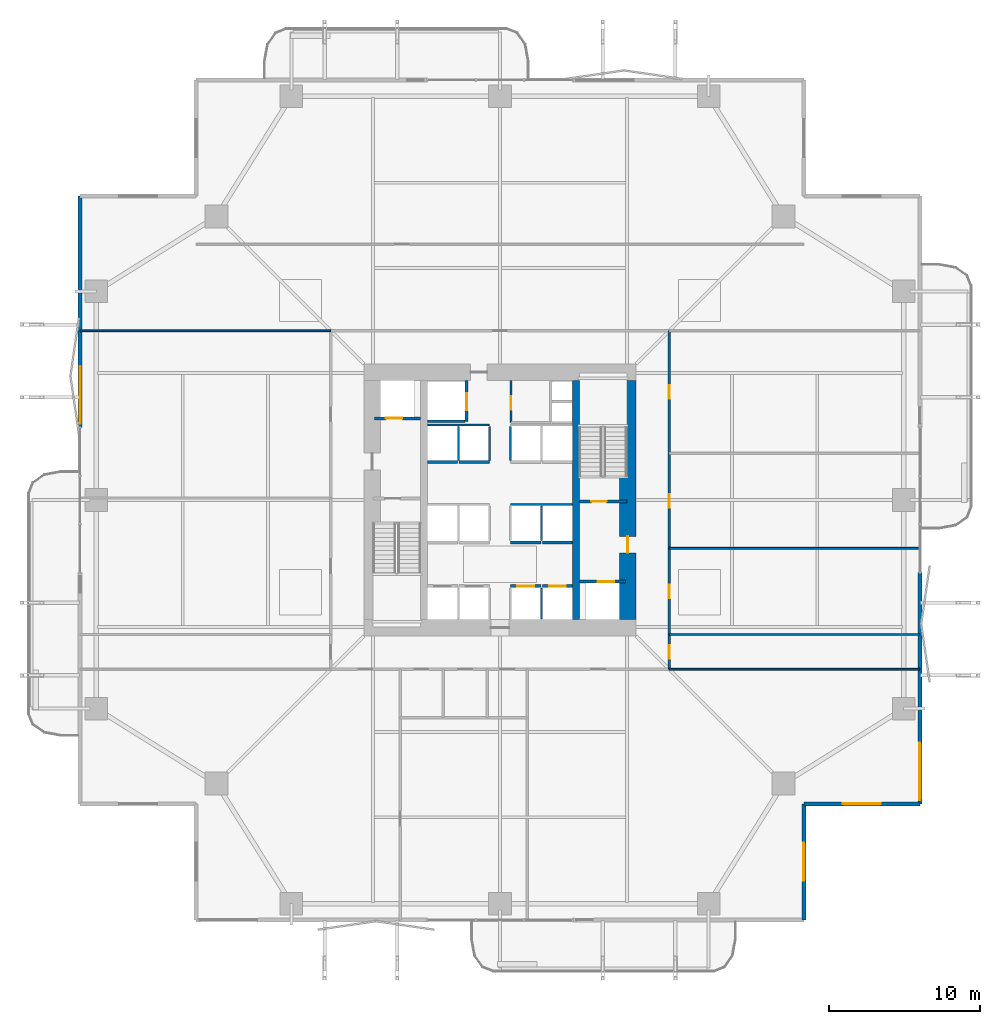
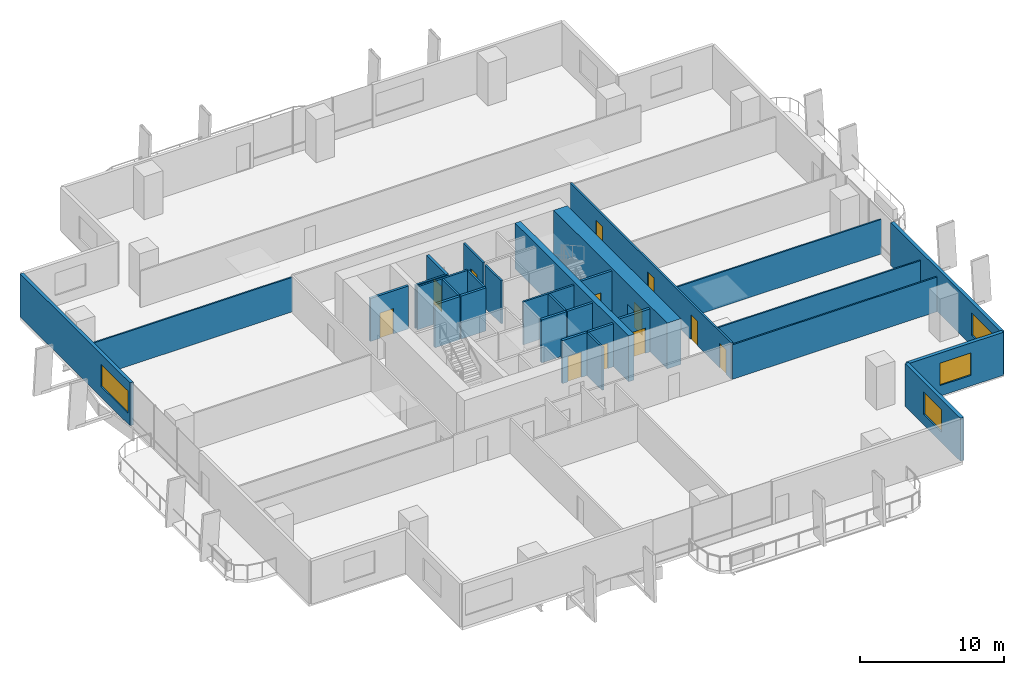
# One storey, part 18 of 24: 30 walls, 12 doors, 4 windows, 16 openings.
"""IFC4 building model written with IfcOpenShell, lengths in metres."""

from ifc_helpers import new_model, si_unit, direction, frame, frame_2d, origin, place, context, subcontext, project, spatial, rectangle, extrude, material, layer, layer_set, type_object, element, fill, save


model = new_model("IFC4")

# Units and contexts
model_context = context("Model", 3, precision=1e-05, world=origin(), true_north=direction((0.0, 1.0)))
body_context = subcontext(model_context, "Body", "Model", "MODEL_VIEW")
ifc_project = project(units=[si_unit("LENGTHUNIT", "METRE"), si_unit("AREAUNIT", "SQUARE_METRE"), si_unit("VOLUMEUNIT", "CUBIC_METRE"), si_unit("PLANEANGLEUNIT", "RADIAN"), si_unit("MASSUNIT", "GRAM", prefix="KILO")], contexts=[model_context])

# Site, building, storey
site_placement = place(None, origin())
site = spatial("IfcSite", under=ifc_project, at=site_placement, CompositionType="ELEMENT")
building_placement = place(site_placement, origin())
building = spatial("IfcBuilding", under=site, at=building_placement, Name="Belovzor Exchange Tower", CompositionType="ELEMENT")
storey_placement = place(building_placement, frame((0.0, 0.0, 37.800048828125)))
storey = spatial("IfcBuildingStorey", under=building, at=storey_placement, Name="L08", CompositionType="ELEMENT", Elevation=37.800048828125)

# Walls
ifc_material_1 = material(Name="Acoustic Plasterboard on Galvanised Studs", Category="gypsum")
ifc_layer_1 = layer(ifc_material_1, 0.1201171875)
ifc_layer_set_1 = layer_set([ifc_layer_1], Name="Acoustic Plasterboard on Galvanised Studs")
wall_type_1 = type_object("IfcWallType", Name="Acoustic Double-Stud Partition Wall 120", PredefinedType="PARTITIONING", material=ifc_layer_set_1)
for number, where, z_axis, x_axis, name in (
    (1, (40.0, 17.60009765625, 0.0), (0.0, 0.0, 1.0), (1.0, 0.0, 0.0), "W-P120 Partition Wall W-L08-END-SE"),
    (2, (1.030029296875, 40.0, 0.0), (0.0, 0.0, 1.0), (1.0, 0.0, 0.0), "W-P120 Partition Wall W-L08-END-NW"),
    (3, (40.0, 19.89990234375, 0.0), (0.0, 0.0, 1.0), (1.0, 0.0, 0.0), "W-P120 Partition Wall W-L08-EDIV-1"),
    (4, (40.0, 25.59912109375, 0.0), (0.0, 0.0, 1.0), (1.0, 0.0, 0.0), "W-P120 Partition Wall W-L08-EDIV-2"),
):
    element("IfcWall", number, at=place(storey_placement, frame(where, z_axis=z_axis, x_axis=x_axis)), inside=storey, type_object=wall_type_1, Name=name, PredefinedType="PARTITIONING", context=body_context, shape_type="SweptSolid", body=[
        extrude(rectangle(XDim=16.570068359375, YDim=0.1201171875, at=frame_2d((8.28515625, 0.0))), origin(), (0.0, 0.0, 1.0), 2.93505859375),
    ])

# Wall, opening, door
ifc_material_2 = material(Name="Fire-Rated Gypsum Block and Mineral Wool", Category="gypsum")
ifc_layer_2 = layer(ifc_material_2, 0.14990234375)
ifc_layer_set_2 = layer_set([ifc_layer_2], Name="Fire-Rated Gypsum Block and Mineral Wool")
wall_type_2 = type_object("IfcWallType", Name="Fire-Rated Gypsum Block Corridor Wall 150", PredefinedType="PARTITIONING", material=ifc_layer_set_2)
wall_1_placement = place(storey_placement, frame((29.52490234375, 33.925048828125, 0.0), z_axis=(0.0, 0.0, 1.0), x_axis=(0.0, 1.0, 0.0)))
wall_1 = element("IfcWall", 5, at=wall_1_placement, inside=storey, type_object=wall_type_2, Name="W-P150 Partition Wall W-CRV-L08-W", PredefinedType="PARTITIONING", context=body_context, shape_type="SweptSolid", body=[
    extrude(rectangle(XDim=2.77490234375, YDim=0.14990234375, at=frame_2d((1.387451171875, 0.0))), origin(), (0.0, 0.0, 1.0), 3.64990234375),
])
opening_1_placement = place(wall_1_placement, frame((0.85009765625, 0.0, 0.0)))
opening_1 = element("IfcOpeningElement", 6, at=opening_1_placement, cuts=wall_1, Name="Opening D-FD60-090", PredefinedType="OPENING", context=body_context, shape_type="SweptSolid", body=[
    extrude(rectangle(XDim=0.89990234375, YDim=2.10009765625, at=frame_2d((0.449951171875, 1.050048828125))), frame((0.0, 0.0849609375, 0.0), z_axis=(0.0, -1.0, 0.0), x_axis=(1.0, 0.0, 0.0)), (0.0, 0.0, 1.0), 0.169921875),
])
ifc_material_3 = material(Name="Acoustic Timber Fire Leaf", Category="wood")
door_type_1 = type_object("IfcDoorType", Name="Core Service & Restroom Fire Door 900x2100", OperationType="NOTDEFINED", PredefinedType="DOOR", material=ifc_material_3)
door_1_placement = place(opening_1_placement, origin())
door_1 = element("IfcDoor", 7, at=door_1_placement, inside=storey, type_object=door_type_1, Name="D-FD60-090 Core Service & Restroom Fire Door 900x2100", OperationType="SINGLE_SWING_LEFT", OverallHeight=2.10009765625, OverallWidth=0.89990234375, PredefinedType="DOOR", context=body_context, shape_type="SweptSolid", body=[
    extrude(rectangle(XDim=0.89990234375, YDim=2.10009765625, at=frame_2d((0.449951171875, 1.050048828125))), frame((0.0, 0.02490234375, 0.0), z_axis=(0.0, -1.0, 0.0), x_axis=(1.0, 0.0, 0.0)), (0.0, 0.0, 1.0), 0.050048828125),
])
fill(opening_1, door_1)

# Wall, openings, doors
wall_2_placement = place(storey_placement, frame((40.0, 17.60009765625, 0.0), z_axis=(0.0, 0.0, 1.0), x_axis=(0.0, 1.0, 0.0)))
wall_2 = element("IfcWall", 8, at=wall_2_placement, inside=storey, type_object=wall_type_2, Name="W-P150 Partition Wall W-L08-CE", PredefinedType="PARTITIONING", context=body_context, shape_type="SweptSolid", body=[
    extrude(rectangle(XDim=22.39990234375, YDim=0.14990234375, at=frame_2d((11.199951171875, 0.0))), origin(), (0.0, 0.0, 1.0), 3.0849609375),
])
opening_2_placement = place(wall_2_placement, frame((0.699951171875, 0.0, 0.0)))
opening_2 = element("IfcOpeningElement", 9, at=opening_2_placement, cuts=wall_2, Name="Opening D-INT-090", PredefinedType="OPENING", context=body_context, shape_type="SweptSolid", body=[
    extrude(rectangle(XDim=0.89990234375, YDim=2.10009765625, at=frame_2d((0.449951171875, 1.050048828125))), frame((0.0, 0.0849609375, 0.0), z_axis=(0.0, -1.0, 0.0), x_axis=(1.0, 0.0, 0.0)), (0.0, 0.0, 1.0), 0.169921875),
])
opening_3_placement = place(wall_2_placement, frame((4.698974609375, 0.0, 0.0)))
opening_3 = element("IfcOpeningElement", 10, at=opening_3_placement, cuts=wall_2, Name="Opening D-INT-090", PredefinedType="OPENING", context=body_context, shape_type="SweptSolid", body=[
    extrude(rectangle(XDim=0.89990234375, YDim=2.10009765625, at=frame_2d((0.449951171875, 1.050048828125))), frame((0.0, 0.0849609375, 0.0), z_axis=(0.0, -1.0, 0.0), x_axis=(1.0, 0.0, 0.0)), (0.0, 0.0, 1.0), 0.169921875),
])
opening_4_placement = place(wall_2_placement, frame((10.69189453125, 0.0, 0.0)))
opening_4 = element("IfcOpeningElement", 11, at=opening_4_placement, cuts=wall_2, Name="Opening D-INT-090", PredefinedType="OPENING", context=body_context, shape_type="SweptSolid", body=[
    extrude(rectangle(XDim=0.89990234375, YDim=2.10009765625, at=frame_2d((0.449951171875, 1.050048828125))), frame((0.0, 0.0849609375, 0.0), z_axis=(0.0, -1.0, 0.0), x_axis=(1.0, 0.0, 0.0)), (0.0, 0.0, 1.0), 0.169921875),
])
opening_5_placement = place(wall_2_placement, frame((17.89208984375, 0.0, 0.0)))
opening_5 = element("IfcOpeningElement", 12, at=opening_5_placement, cuts=wall_2, Name="Opening D-INT-090", PredefinedType="OPENING", context=body_context, shape_type="SweptSolid", body=[
    extrude(rectangle(XDim=0.89990234375, YDim=2.10009765625, at=frame_2d((0.449951171875, 1.050048828125))), frame((0.0, 0.0849609375, 0.0), z_axis=(0.0, -1.0, 0.0), x_axis=(1.0, 0.0, 0.0)), (0.0, 0.0, 1.0), 0.169921875),
])
ifc_material_4 = material(Name="Veneered Hardwood Acoustic Leaf", Category="wood")
door_type_2 = type_object("IfcDoorType", Name="Trading Suite Acoustic Single Door 900x2100", OperationType="NOTDEFINED", PredefinedType="DOOR", material=ifc_material_4)
door_2_placement = place(opening_2_placement, origin())
door_2 = element("IfcDoor", 13, at=door_2_placement, inside=storey, type_object=door_type_2, Name="D-INT-090 Trading Suite Acoustic Single Door 900x2100", OperationType="SINGLE_SWING_RIGHT", OverallHeight=2.10009765625, OverallWidth=0.89990234375, PredefinedType="DOOR", context=body_context, shape_type="SweptSolid", body=[
    extrude(rectangle(XDim=0.89990234375, YDim=2.10009765625, at=frame_2d((0.449951171875, 1.050048828125))), frame((0.0, 0.02490234375, 0.0), z_axis=(0.0, -1.0, 0.0), x_axis=(1.0, 0.0, 0.0)), (0.0, 0.0, 1.0), 0.050048828125),
])
fill(opening_2, door_2)
door_3_placement = place(opening_3_placement, origin())
door_3 = element("IfcDoor", 14, at=door_3_placement, inside=storey, type_object=door_type_2, Name="D-INT-090 Trading Suite Acoustic Single Door 900x2100", OperationType="SINGLE_SWING_LEFT", OverallHeight=2.10009765625, OverallWidth=0.89990234375, PredefinedType="DOOR", context=body_context, shape_type="SweptSolid", body=[
    extrude(rectangle(XDim=0.89990234375, YDim=2.10009765625, at=frame_2d((0.449951171875, 1.050048828125))), frame((0.0, 0.02490234375, 0.0), z_axis=(0.0, -1.0, 0.0), x_axis=(1.0, 0.0, 0.0)), (0.0, 0.0, 1.0), 0.050048828125),
])
fill(opening_3, door_3)
door_4_placement = place(opening_4_placement, origin())
door_4 = element("IfcDoor", 15, at=door_4_placement, inside=storey, type_object=door_type_2, Name="D-INT-090 Trading Suite Acoustic Single Door 900x2100", OperationType="SINGLE_SWING_RIGHT", OverallHeight=2.10009765625, OverallWidth=0.89990234375, PredefinedType="DOOR", context=body_context, shape_type="SweptSolid", body=[
    extrude(rectangle(XDim=0.89990234375, YDim=2.10009765625, at=frame_2d((0.449951171875, 1.050048828125))), frame((0.0, 0.02490234375, 0.0), z_axis=(0.0, -1.0, 0.0), x_axis=(1.0, 0.0, 0.0)), (0.0, 0.0, 1.0), 0.050048828125),
])
fill(opening_4, door_4)
door_5_placement = place(opening_5_placement, origin())
door_5 = element("IfcDoor", 16, at=door_5_placement, inside=storey, type_object=door_type_2, Name="D-INT-090 Trading Suite Acoustic Single Door 900x2100", OperationType="SINGLE_SWING_LEFT", OverallHeight=2.10009765625, OverallWidth=0.89990234375, PredefinedType="DOOR", context=body_context, shape_type="SweptSolid", body=[
    extrude(rectangle(XDim=0.89990234375, YDim=2.10009765625, at=frame_2d((0.449951171875, 1.050048828125))), frame((0.0, 0.02490234375, 0.0), z_axis=(0.0, -1.0, 0.0), x_axis=(1.0, 0.0, 0.0)), (0.0, 0.0, 1.0), 0.050048828125),
])
fill(opening_5, door_5)

# Wall, opening, window
ifc_material_5 = material(Name="Precast concrete C40/50", Category="concrete")
ifc_layer_3 = layer(ifc_material_5, 0.280029296875)
ifc_layer_set_3 = layer_set([ifc_layer_3], Name="Precast concrete C40/50")
wall_type_3 = type_object("IfcWallType", Name="Precast Concrete Notched Corner Frame Wall 280", PredefinedType="SOLIDWALL", material=ifc_layer_set_3)
wall_3_placement = place(storey_placement, frame((56.570068359375, 8.699951171875, 0.0), z_axis=(0.0, 0.0, 1.0), x_axis=(-1.0, 0.0, 0.0)))
wall_3 = element("IfcWall", 17, at=wall_3_placement, inside=storey, type_object=wall_type_3, Name="W-CRN280 Precast Concrete Notched Corner Frame Wall 280 L08", PredefinedType="SOLIDWALL", context=body_context, shape_type="SweptSolid", body=[
    extrude(rectangle(XDim=7.670166015625, YDim=0.280029296875, at=frame_2d((3.8349609375, 0.0))), origin(), (0.0, 0.0, 1.0), 3.64990234375),
])
opening_6_placement = place(wall_3_placement, frame((2.5849609375, 0.0, 0.89990234375)))
opening_6 = element("IfcOpeningElement", 18, at=opening_6_placement, cuts=wall_3, Name="Opening WN-CRN250", PredefinedType="OPENING", context=body_context, shape_type="SweptSolid", body=[
    extrude(rectangle(XDim=2.5, YDim=1.89990234375, at=frame_2d((1.25, 0.949951171875))), frame((0.0, 0.14990234375, 0.0), z_axis=(0.0, -1.0, 0.0), x_axis=(1.0, 0.0, 0.0)), (0.0, 0.0, 1.0), 0.300048828125),
])
ifc_material_6 = material(Name="Thermally Broken Aluminium and Triple Glazing", Category="aluminium")
window_type_1 = type_object("IfcWindowType", Name="Streamline Moderne Corner Wrap Ribbon Window 2500x1900", PartitioningType="SINGLE_PANEL", PredefinedType="WINDOW", material=ifc_material_6)
window_1_placement = place(opening_6_placement, origin())
window_1 = element("IfcWindow", 19, at=window_1_placement, inside=storey, type_object=window_type_1, Name="WN-CRN250 Streamline Moderne Corner Wrap Ribbon Window 2500x1900", OverallHeight=1.89990234375, OverallWidth=2.5, PartitioningType="SINGLE_PANEL", PredefinedType="WINDOW", context=body_context, shape_type="SweptSolid", body=[
    extrude(rectangle(XDim=2.5, YDim=1.89990234375, at=frame_2d((1.25, 0.949951171875))), frame((0.0, 0.030029296875, 0.0), z_axis=(0.0, -1.0, 0.0), x_axis=(1.0, 0.0, 0.0)), (0.0, 0.0, 1.0), 0.06005859375),
])
fill(opening_6, window_1)

wall_4_placement = place(storey_placement, frame((48.89990234375, 8.699951171875, 0.0), z_axis=(0.0, 0.0, 1.0), x_axis=(0.0, -1.0, 0.0)))
wall_4 = element("IfcWall", 20, at=wall_4_placement, inside=storey, type_object=wall_type_3, Name="W-CRN280 Precast Concrete Notched Corner Frame Wall 280 L08", PredefinedType="SOLIDWALL", context=body_context, shape_type="SweptSolid", body=[
    extrude(rectangle(XDim=7.669921875, YDim=0.280029296875, at=frame_2d((3.8349609375, 0.0))), origin(), (0.0, 0.0, 1.0), 3.64990234375),
])
opening_7_placement = place(wall_4_placement, frame((2.5849609375, 0.0, 0.89990234375)))
opening_7 = element("IfcOpeningElement", 21, at=opening_7_placement, cuts=wall_4, Name="Opening WN-CRN250", PredefinedType="OPENING", context=body_context, shape_type="SweptSolid", body=[
    extrude(rectangle(XDim=2.5, YDim=1.89990234375, at=frame_2d((1.25, 0.949951171875))), frame((0.0, 0.14990234375, 0.0), z_axis=(0.0, -1.0, 0.0), x_axis=(1.0, 0.0, 0.0)), (0.0, 0.0, 1.0), 0.300048828125),
])
window_2_placement = place(opening_7_placement, origin())
window_2 = element("IfcWindow", 22, at=window_2_placement, inside=storey, type_object=window_type_1, Name="WN-CRN250 Streamline Moderne Corner Wrap Ribbon Window 2500x1900", OverallHeight=1.89990234375, OverallWidth=2.5, PartitioningType="SINGLE_PANEL", PredefinedType="WINDOW", context=body_context, shape_type="SweptSolid", body=[
    extrude(rectangle(XDim=2.5, YDim=1.89990234375, at=frame_2d((1.25, 0.949951171875))), frame((0.0, 0.030029296875, 0.0), z_axis=(0.0, -1.0, 0.0), x_axis=(1.0, 0.0, 0.0)), (0.0, 0.0, 1.0), 0.06005859375),
])
fill(opening_7, window_2)

ifc_material_7 = material(Name="Precast concrete C40/50", Category="concrete")
ifc_layer_4 = layer(ifc_material_7, 0.260009765625)
ifc_layer_set_4 = layer_set([ifc_layer_4], Name="Precast concrete C40/50")
wall_type_4 = type_object("IfcWallType", Name="Precast Concrete Perimeter Loggia Frame Wall 260", PredefinedType="SOLIDWALL", material=ifc_layer_set_4)
wall_5_placement = place(storey_placement, frame((1.030029296875, 33.60009765625, 0.0), z_axis=(0.0, 0.0, 1.0), x_axis=(0.0, 1.0, 0.0)))
wall_5 = element("IfcWall", 23, at=wall_5_placement, inside=storey, type_object=wall_type_4, Name="W-EXT260 Precast Concrete Perimeter Loggia Frame Wall 260 L08", PredefinedType="SOLIDWALL", context=body_context, shape_type="SweptSolid", body=[
    extrude(rectangle(XDim=15.2998046875, YDim=0.260009765625, at=frame_2d((7.64990234375, 0.0))), origin(), (0.0, 0.0, 1.0), 3.64990234375),
])
opening_8_placement = place(wall_5_placement, frame((0.25, 0.0, 0.89990234375)))
opening_8 = element("IfcOpeningElement", 24, at=opening_8_placement, cuts=wall_5, Name="Opening WN-RIB380", PredefinedType="OPENING", context=body_context, shape_type="SweptSolid", body=[
    extrude(rectangle(XDim=3.800048828125, YDim=1.89990234375, at=frame_2d((1.89990234375, 0.949951171875))), frame((0.0, 0.139892578125, 0.0), z_axis=(0.0, -1.0, 0.0), x_axis=(1.0, 0.0, 0.0)), (0.0, 0.0, 1.0), 0.280029296875),
])
ifc_material_8 = material(Name="Thermally Broken Aluminium and Triple Glazing", Category="aluminium")
window_type_2 = type_object("IfcWindowType", Name="Streamline Moderne Horizontal Ribbon Window 3800x1900", PartitioningType="SINGLE_PANEL", PredefinedType="WINDOW", material=ifc_material_8)
window_3_placement = place(opening_8_placement, origin())
window_3 = element("IfcWindow", 25, at=window_3_placement, inside=storey, type_object=window_type_2, Name="WN-RIB380 Streamline Moderne Horizontal Ribbon Window 3800x1900", OverallHeight=1.89990234375, OverallWidth=3.800048828125, PartitioningType="SINGLE_PANEL", PredefinedType="WINDOW", context=body_context, shape_type="SweptSolid", body=[
    extrude(rectangle(XDim=3.800048828125, YDim=1.89990234375, at=frame_2d((1.89990234375, 0.949951171875))), frame((0.0, 0.030029296875, 0.0), z_axis=(0.0, -1.0, 0.0), x_axis=(1.0, 0.0, 0.0)), (0.0, 0.0, 1.0), 0.06005859375),
])
fill(opening_8, window_3)

wall_6_placement = place(storey_placement, frame((56.570068359375, 24.0, 0.0), z_axis=(0.0, 0.0, 1.0), x_axis=(0.0, -1.0, 0.0)))
wall_6 = element("IfcWall", 26, at=wall_6_placement, inside=storey, type_object=wall_type_4, Name="W-EXT260 Precast Concrete Perimeter Loggia Frame Wall 260 L08", PredefinedType="SOLIDWALL", context=body_context, shape_type="SweptSolid", body=[
    extrude(rectangle(XDim=15.300048828125, YDim=0.260009765625, at=frame_2d((7.64990234375, 0.0))), origin(), (0.0, 0.0, 1.0), 3.64990234375),
])
opening_9_placement = place(wall_6_placement, frame((11.25, 0.0, 0.89990234375)))
opening_9 = element("IfcOpeningElement", 27, at=opening_9_placement, cuts=wall_6, Name="Opening WN-RIB380", PredefinedType="OPENING", context=body_context, shape_type="SweptSolid", body=[
    extrude(rectangle(XDim=3.800048828125, YDim=1.89990234375, at=frame_2d((1.89990234375, 0.949951171875))), frame((0.0, 0.139892578125, 0.0), z_axis=(0.0, -1.0, 0.0), x_axis=(1.0, 0.0, 0.0)), (0.0, 0.0, 1.0), 0.280029296875),
])
window_4_placement = place(opening_9_placement, origin())
window_4 = element("IfcWindow", 28, at=window_4_placement, inside=storey, type_object=window_type_2, Name="WN-RIB380 Streamline Moderne Horizontal Ribbon Window 3800x1900", OverallHeight=1.89990234375, OverallWidth=3.800048828125, PartitioningType="SINGLE_PANEL", PredefinedType="WINDOW", context=body_context, shape_type="SweptSolid", body=[
    extrude(rectangle(XDim=3.800048828125, YDim=1.89990234375, at=frame_2d((1.89990234375, 0.949951171875))), frame((0.0, 0.030029296875, 0.0), z_axis=(0.0, -1.0, 0.0), x_axis=(1.0, 0.0, 0.0)), (0.0, 0.0, 1.0), 0.06005859375),
])
fill(opening_9, window_4)

# Walls
ifc_material_9 = material(Name="Concrete C50/60", Category="concrete")
ifc_layer_5 = layer(ifc_material_9, 0.449951171875)
ifc_layer_set_5 = layer_set([ifc_layer_5], Name="Concrete C50/60")
wall_type_5 = type_object("IfcWallType", Name="Reinforced Concrete Core Internal Web Wall 450", PredefinedType="SHEAR", material=ifc_layer_set_5)
wall_7_placement = place(storey_placement, frame((33.824951171875, 20.89990234375, 0.0), z_axis=(0.0, 0.0, 1.0), x_axis=(0.0, 1.0, 0.0)))
element("IfcWall", 29, at=wall_7_placement, inside=storey, type_object=wall_type_5, Name="CW-W045 Core Internal Web Wall L08 ER", PredefinedType="SHEAR", context=body_context, shape_type="SweptSolid", body=[
    extrude(rectangle(XDim=15.800048828125, YDim=0.449951171875, at=frame_2d((7.89990234375, 0.0))), origin(), (0.0, 0.0, 1.0), 3.89990234375),
])
ifc_material_10 = material(Name="Concrete C50/60", Category="concrete")
ifc_layer_6 = layer(ifc_material_10, 0.14990234375)
ifc_layer_set_6 = layer_set([ifc_layer_6], Name="Concrete C50/60")
wall_type_6 = type_object("IfcWallType", Name="Reinforced Concrete Core Riser Shear Wall 150", PredefinedType="SHEAR", material=ifc_layer_set_6)
wall_8_placement = place(storey_placement, frame((24.0, 34.0, 0.0), z_axis=(0.0, 0.0, 1.0), x_axis=(1.0, 0.0, 0.0)))
element("IfcWall", 30, at=wall_8_placement, inside=storey, type_object=wall_type_6, Name="W-C150S Core Shaft Wall W-SH-L08-SL-01S", PredefinedType="SHEAR", context=body_context, shape_type="SweptSolid", body=[
    extrude(rectangle(XDim=2.47998046875, YDim=0.14990234375, at=frame_2d((1.239990234375, 0.0))), origin(), (0.0, 0.0, 1.0), 3.64990234375),
])
wall_9_placement = place(storey_placement, frame((31.550048828125, 20.919921875, 0.0), z_axis=(0.0, 0.0, 1.0), x_axis=(0.0, 1.0, 0.0)))
element("IfcWall", 31, at=wall_9_placement, inside=storey, type_object=wall_type_6, Name="W-C150S Core Shaft Wall W-SHD-L08-PLL-4", PredefinedType="SHEAR", context=body_context, shape_type="SweptSolid", body=[
    extrude(rectangle(XDim=2.06005859375, YDim=0.14990234375, at=frame_2d((1.030029296875, 0.0))), origin(), (0.0, 0.0, 1.0), 3.64990234375),
])
wall_10_placement = place(storey_placement, frame((29.5, 28.5, 0.0), z_axis=(0.0, 0.0, 1.0), x_axis=(1.0, 0.0, 0.0)))
element("IfcWall", 32, at=wall_10_placement, inside=storey, type_object=wall_type_6, Name="W-C150S Core Shaft Wall W-SHB-L08-PLM-NE", PredefinedType="SHEAR", context=body_context, shape_type="SweptSolid", body=[
    extrude(rectangle(XDim=4.080078125, YDim=0.14990234375, at=frame_2d((2.0400390625, 0.0))), origin(), (0.0, 0.0, 1.0), 3.64990234375),
])
wall_11_placement = place(storey_placement, frame((31.550048828125, 26.1201171875, 0.0), z_axis=(0.0, 0.0, 1.0), x_axis=(0.0, 1.0, 0.0)))
element("IfcWall", 33, at=wall_11_placement, inside=storey, type_object=wall_type_6, Name="W-C150S Core Shaft Wall W-SHD-L08-PLM-4", PredefinedType="SHEAR", context=body_context, shape_type="SweptSolid", body=[
    extrude(rectangle(XDim=2.27978515625, YDim=0.14990234375, at=frame_2d((1.139892578125, 0.0))), origin(), (0.0, 0.0, 1.0), 3.64990234375),
])
wall_12_placement = place(storey_placement, frame((24.02001953125, 33.760009765625, 0.0), z_axis=(0.0, 0.0, 1.0), x_axis=(1.0, 0.0, 0.0)))
element("IfcWall", 34, at=wall_12_placement, inside=storey, type_object=wall_type_6, Name="W-C150S Core Shaft Wall W-SHB-L08-PLH-NW", PredefinedType="SHEAR", context=body_context, shape_type="SweptSolid", body=[
    extrude(rectangle(XDim=4.080078125, YDim=0.14990234375, at=frame_2d((2.0400390625, 0.0))), origin(), (0.0, 0.0, 1.0), 3.64990234375),
])
for number, where, z_axis, x_axis, name in (
    (35, (26.050048828125, 31.419921875, 0.0), (0.0, 0.0, 1.0), (0.0, 1.0, 0.0), "W-C150S Core Shaft Wall W-SHD-L08-PLH-1"),
    (36, (28.10009765625, 31.419921875, 0.0), (0.0, 0.0, 1.0), (0.0, 1.0, 0.0), "W-C150S Core Shaft Wall W-SHD-L08-PLH-2"),
    (37, (29.5, 31.419921875, 0.0), (0.0, 0.0, 1.0), (0.0, 1.0, 0.0), "W-C150S Core Shaft Wall W-SHD-L08-PLH-3"),
):
    element("IfcWall", number, at=place(storey_placement, frame(where, z_axis=z_axis, x_axis=x_axis)), inside=storey, type_object=wall_type_6, Name=name, PredefinedType="SHEAR", context=body_context, shape_type="SweptSolid", body=[
        extrude(rectangle(XDim=2.239990234375, YDim=0.14990234375, at=frame_2d((1.1201171875, 0.0))), origin(), (0.0, 0.0, 1.0), 3.64990234375),
    ])

# Wall, opening, door
ifc_material_11 = material(Name="Concrete C50/60", Category="concrete")
ifc_layer_7 = layer(ifc_material_11, 0.199951171875)
ifc_layer_set_7 = layer_set([ifc_layer_7], Name="Concrete C50/60")
wall_type_7 = type_object("IfcWallType", Name="Reinforced Concrete Core Shaft Shear Wall 200", PredefinedType="SHEAR", material=ifc_layer_set_7)
wall_13_placement = place(storey_placement, frame((34.050048828125, 28.699951171875, 0.0), z_axis=(0.0, 0.0, 1.0), x_axis=(1.0, 0.0, 0.0)))
wall_13 = element("IfcWall", 38, at=wall_13_placement, inside=storey, type_object=wall_type_7, Name="W-C200S Core Shaft Wall W-CORE-L08-FFLE2", PredefinedType="SHEAR", context=body_context, shape_type="SweptSolid", body=[
    extrude(rectangle(XDim=3.14990234375, YDim=0.199951171875, at=frame_2d((1.574951171875, 0.0))), origin(), (0.0, 0.0, 1.0), 3.64990234375),
])
opening_10_placement = place(wall_13_placement, frame((0.800048828125, 0.0, 0.0)))
opening_10 = element("IfcOpeningElement", 39, at=opening_10_placement, cuts=wall_13, Name="Opening D-FD90-100", PredefinedType="OPENING", context=body_context, shape_type="SweptSolid", body=[
    extrude(rectangle(XDim=1.0, YDim=2.10009765625, at=frame_2d((0.5, 1.050048828125))), frame((0.0, 0.10986328125, 0.0), z_axis=(0.0, -1.0, 0.0), x_axis=(1.0, 0.0, 0.0)), (0.0, 0.0, 1.0), 0.219970703125),
])
ifc_material_12 = material(Name="Fire-Rated Galvanised Steel Leaf", Category="steel")
door_type_3 = type_object("IfcDoorType", Name="Protected Stairwell Single Fire Door 1000x2100", OperationType="NOTDEFINED", PredefinedType="DOOR", material=ifc_material_12)
door_6_placement = place(opening_10_placement, origin())
door_6 = element("IfcDoor", 40, at=door_6_placement, inside=storey, type_object=door_type_3, Name="D-FD90-100 Protected Stairwell Single Fire Door 1000x2100", OperationType="SINGLE_SWING_LEFT", OverallHeight=2.10009765625, OverallWidth=1.0, PredefinedType="DOOR", context=body_context, shape_type="SweptSolid", body=[
    extrude(rectangle(XDim=1.0, YDim=2.10009765625, at=frame_2d((0.5, 1.050048828125))), frame((0.0, 0.02490234375, 0.0), z_axis=(0.0, -1.0, 0.0), x_axis=(1.0, 0.0, 0.0)), (0.0, 0.0, 1.0), 0.050048828125),
])
fill(opening_10, door_6)

wall_14_placement = place(storey_placement, frame((20.5, 34.199951171875, 0.0), z_axis=(0.0, 0.0, 1.0), x_axis=(1.0, 0.0, 0.0)))
wall_14 = element("IfcWall", 41, at=wall_14_placement, inside=storey, type_object=wall_type_7, Name="W-C200S Core Shaft Wall W-SH-L08-FFL-01", PredefinedType="SHEAR", context=body_context, shape_type="SweptSolid", body=[
    extrude(rectangle(XDim=3.050048828125, YDim=0.199951171875, at=frame_2d((1.52490234375, 0.0))), origin(), (0.0, 0.0, 1.0), 3.64990234375),
])
opening_11_placement = place(wall_14_placement, frame((0.75, 0.0, 0.0)))
opening_11 = element("IfcOpeningElement", 42, at=opening_11_placement, cuts=wall_14, Name="Opening LD-110", PredefinedType="OPENING", context=body_context, shape_type="SweptSolid", body=[
    extrude(rectangle(XDim=1.10009765625, YDim=2.14990234375, at=frame_2d((0.550048828125, 1.074951171875))), frame((0.0, 0.10986328125, 0.0), z_axis=(0.0, -1.0, 0.0), x_axis=(1.0, 0.0, 0.0)), (0.0, 0.0, 1.0), 0.219970703125),
])
ifc_material_13 = material(Name="Stainless Steel Grade 304", Category="steel")
door_type_4 = type_object("IfcDoorType", Name="Automated Stainless Steel Lift Landing Door 1100x2150", OperationType="SLIDING_TO_RIGHT", PredefinedType="DOOR", material=ifc_material_13)
door_7_placement = place(opening_11_placement, origin())
door_7 = element("IfcDoor", 43, at=door_7_placement, inside=storey, type_object=door_type_4, Name="LD-110 Automated Stainless Steel Lift Landing Door 1100x2150", OperationType="SLIDING_TO_RIGHT", OverallHeight=2.14990234375, OverallWidth=1.10009765625, PredefinedType="DOOR", context=body_context, shape_type="SweptSolid", body=[
    extrude(rectangle(XDim=1.10009765625, YDim=2.14990234375, at=frame_2d((0.550048828125, 1.074951171875))), frame((0.0, 0.02490234375, 0.0), z_axis=(0.0, -1.0, 0.0), x_axis=(1.0, 0.0, 0.0)), (0.0, 0.0, 1.0), 0.050048828125),
])
fill(opening_11, door_7)

wall_15_placement = place(storey_placement, frame((34.050048828125, 23.39990234375, 0.0), z_axis=(0.0, 0.0, 1.0), x_axis=(1.0, 0.0, 0.0)))
wall_15 = element("IfcWall", 44, at=wall_15_placement, inside=storey, type_object=wall_type_7, Name="W-C200S Core Shaft Wall W-SH-L08-FFL-02", PredefinedType="SHEAR", context=body_context, shape_type="SweptSolid", body=[
    extrude(rectangle(XDim=3.050048828125, YDim=0.199951171875, at=frame_2d((1.52490234375, 0.0))), origin(), (0.0, 0.0, 1.0), 3.64990234375),
])
opening_12_placement = place(wall_15_placement, frame((1.199951171875, 0.0, 0.0)))
opening_12 = element("IfcOpeningElement", 45, at=opening_12_placement, cuts=wall_15, Name="Opening LD-110", PredefinedType="OPENING", context=body_context, shape_type="SweptSolid", body=[
    extrude(rectangle(XDim=1.10009765625, YDim=2.14990234375, at=frame_2d((0.550048828125, 1.074951171875))), frame((0.0, 0.10986328125, 0.0), z_axis=(0.0, -1.0, 0.0), x_axis=(1.0, 0.0, 0.0)), (0.0, 0.0, 1.0), 0.219970703125),
])
door_8_placement = place(opening_12_placement, origin())
door_8 = element("IfcDoor", 46, at=door_8_placement, inside=storey, type_object=door_type_4, Name="LD-110 Automated Stainless Steel Lift Landing Door 1100x2150", OperationType="SLIDING_TO_RIGHT", OverallHeight=2.14990234375, OverallWidth=1.10009765625, PredefinedType="DOOR", context=body_context, shape_type="SweptSolid", body=[
    extrude(rectangle(XDim=1.10009765625, YDim=2.14990234375, at=frame_2d((0.550048828125, 1.074951171875))), frame((0.0, 0.02490234375, 0.0), z_axis=(0.0, -1.0, 0.0), x_axis=(1.0, 0.0, 0.0)), (0.0, 0.0, 1.0), 0.050048828125),
])
fill(opening_12, door_8)

wall_16_placement = place(storey_placement, frame((26.60009765625, 34.0, 0.0), z_axis=(0.0, 0.0, 1.0), x_axis=(0.0, 1.0, 0.0)))
wall_16 = element("IfcWall", 47, at=wall_16_placement, inside=storey, type_object=wall_type_7, Name="W-C200S Core Shaft Wall W-SH-L08-SL-01", PredefinedType="SHEAR", context=body_context, shape_type="SweptSolid", body=[
    extrude(rectangle(XDim=2.699951171875, YDim=0.199951171875, at=frame_2d((1.35009765625, 0.0))), origin(), (0.0, 0.0, 1.0), 3.64990234375),
])
opening_13_placement = place(wall_16_placement, frame((0.75, 0.0, 0.0)))
opening_13 = element("IfcOpeningElement", 48, at=opening_13_placement, cuts=wall_16, Name="Opening LD-110", PredefinedType="OPENING", context=body_context, shape_type="SweptSolid", body=[
    extrude(rectangle(XDim=1.10009765625, YDim=2.14990234375, at=frame_2d((0.550048828125, 1.074951171875))), frame((0.0, 0.10986328125, 0.0), z_axis=(0.0, -1.0, 0.0), x_axis=(1.0, 0.0, 0.0)), (0.0, 0.0, 1.0), 0.219970703125),
])
door_9_placement = place(opening_13_placement, origin())
door_9 = element("IfcDoor", 49, at=door_9_placement, inside=storey, type_object=door_type_4, Name="LD-110 Automated Stainless Steel Lift Landing Door 1100x2150", OperationType="SLIDING_TO_RIGHT", OverallHeight=2.14990234375, OverallWidth=1.10009765625, PredefinedType="DOOR", context=body_context, shape_type="SweptSolid", body=[
    extrude(rectangle(XDim=1.10009765625, YDim=2.14990234375, at=frame_2d((0.550048828125, 1.074951171875))), frame((0.0, 0.02490234375, 0.0), z_axis=(0.0, -1.0, 0.0), x_axis=(1.0, 0.0, 0.0)), (0.0, 0.0, 1.0), 0.050048828125),
])
fill(opening_13, door_9)

wall_17_placement = place(storey_placement, frame((29.5, 23.10009765625, 0.0), z_axis=(0.0, 0.0, 1.0), x_axis=(1.0, 0.0, 0.0)))
wall_17 = element("IfcWall", 50, at=wall_17_placement, inside=storey, type_object=wall_type_7, Name="W-C200S Core Shaft Wall W-SH-L08-PL-L3", PredefinedType="SHEAR", context=body_context, shape_type="SweptSolid", body=[
    extrude(rectangle(XDim=2.0, YDim=0.199951171875, at=frame_2d((1.0, 0.0))), origin(), (0.0, 0.0, 1.0), 3.64990234375),
])
opening_14_placement = place(wall_17_placement, frame((0.449951171875, 0.0, 0.0)))
opening_14 = element("IfcOpeningElement", 51, at=opening_14_placement, cuts=wall_17, Name="Opening LD-110", PredefinedType="OPENING", context=body_context, shape_type="SweptSolid", body=[
    extrude(rectangle(XDim=1.10009765625, YDim=2.14990234375, at=frame_2d((0.550048828125, 1.074951171875))), frame((0.0, 0.10986328125, 0.0), z_axis=(0.0, -1.0, 0.0), x_axis=(1.0, 0.0, 0.0)), (0.0, 0.0, 1.0), 0.219970703125),
])
door_10_placement = place(opening_14_placement, origin())
door_10 = element("IfcDoor", 52, at=door_10_placement, inside=storey, type_object=door_type_4, Name="LD-110 Automated Stainless Steel Lift Landing Door 1100x2150", OperationType="SLIDING_TO_RIGHT", OverallHeight=2.14990234375, OverallWidth=1.10009765625, PredefinedType="DOOR", context=body_context, shape_type="SweptSolid", body=[
    extrude(rectangle(XDim=1.10009765625, YDim=2.14990234375, at=frame_2d((0.550048828125, 1.074951171875))), frame((0.0, 0.02490234375, 0.0), z_axis=(0.0, -1.0, 0.0), x_axis=(1.0, 0.0, 0.0)), (0.0, 0.0, 1.0), 0.050048828125),
])
fill(opening_14, door_10)

wall_18_placement = place(storey_placement, frame((31.60009765625, 23.10009765625, 0.0), z_axis=(0.0, 0.0, 1.0), x_axis=(1.0, 0.0, 0.0)))
wall_18 = element("IfcWall", 53, at=wall_18_placement, inside=storey, type_object=wall_type_7, Name="W-C200S Core Shaft Wall W-SH-L08-PL-L4", PredefinedType="SHEAR", context=body_context, shape_type="SweptSolid", body=[
    extrude(rectangle(XDim=2.0, YDim=0.199951171875, at=frame_2d((1.0, 0.0))), origin(), (0.0, 0.0, 1.0), 3.64990234375),
])
opening_15_placement = place(wall_18_placement, frame((0.449951171875, 0.0, 0.0)))
opening_15 = element("IfcOpeningElement", 54, at=opening_15_placement, cuts=wall_18, Name="Opening LD-110", PredefinedType="OPENING", context=body_context, shape_type="SweptSolid", body=[
    extrude(rectangle(XDim=1.10009765625, YDim=2.14990234375, at=frame_2d((0.550048828125, 1.074951171875))), frame((0.0, 0.10986328125, 0.0), z_axis=(0.0, -1.0, 0.0), x_axis=(1.0, 0.0, 0.0)), (0.0, 0.0, 1.0), 0.219970703125),
])
door_11_placement = place(opening_15_placement, origin())
door_11 = element("IfcDoor", 55, at=door_11_placement, inside=storey, type_object=door_type_4, Name="LD-110 Automated Stainless Steel Lift Landing Door 1100x2150", OperationType="SLIDING_TO_RIGHT", OverallHeight=2.14990234375, OverallWidth=1.10009765625, PredefinedType="DOOR", context=body_context, shape_type="SweptSolid", body=[
    extrude(rectangle(XDim=1.10009765625, YDim=2.14990234375, at=frame_2d((0.550048828125, 1.074951171875))), frame((0.0, 0.02490234375, 0.0), z_axis=(0.0, -1.0, 0.0), x_axis=(1.0, 0.0, 0.0)), (0.0, 0.0, 1.0), 0.050048828125),
])
fill(opening_15, door_11)

# Walls
for number, where, z_axis, x_axis, name in (
    (56, (29.5, 26.0, 0.0), (0.0, 0.0, 1.0), (1.0, 0.0, 0.0), "W-C200S Core Shaft Wall W-SH-L08-PL-M3"),
    (57, (31.60009765625, 26.0, 0.0), (0.0, 0.0, 1.0), (1.0, 0.0, 0.0), "W-C200S Core Shaft Wall W-SH-L08-PL-M4"),
    (58, (24.0, 31.300048828125, 0.0), (0.0, 0.0, 1.0), (1.0, 0.0, 0.0), "W-C200S Core Shaft Wall W-SH-L08-PL-H1"),
    (59, (26.10009765625, 31.300048828125, 0.0), (0.0, 0.0, 1.0), (1.0, 0.0, 0.0), "W-C200S Core Shaft Wall W-SH-L08-PL-H2"),
):
    element("IfcWall", number, at=place(storey_placement, frame(where, z_axis=z_axis, x_axis=x_axis)), inside=storey, type_object=wall_type_7, Name=name, PredefinedType="SHEAR", context=body_context, shape_type="SweptSolid", body=[
        extrude(rectangle(XDim=2.0, YDim=0.199951171875, at=frame_2d((1.0, 0.0))), origin(), (0.0, 0.0, 1.0), 3.64990234375),
    ])

# Wall, opening, door
ifc_material_14 = material(Name="Concrete C60/75", Category="concrete")
ifc_layer_8 = layer(ifc_material_14, 1.10009765625)
ifc_layer_set_8 = layer_set([ifc_layer_8], Name="Concrete C60/75")
wall_type_8 = type_object("IfcWallType", Name="Reinforced Concrete Core Shear Wall 1100", PredefinedType="SHEAR", material=ifc_layer_set_8)
wall_19_placement = place(storey_placement, frame((37.25, 20.89990234375, 0.0), z_axis=(0.0, 0.0, 1.0), x_axis=(0.0, 1.0, 0.0)))
wall_19 = element("IfcWall", 60, at=wall_19_placement, inside=storey, type_object=wall_type_8, Name="CW-S110 Core Shear Wall L08 E", PredefinedType="SHEAR", context=body_context, shape_type="SweptSolid", body=[
    extrude(rectangle(XDim=15.800048828125, YDim=1.10009765625, at=frame_2d((7.89990234375, 0.0))), origin(), (0.0, 0.0, 1.0), 3.89990234375),
])
opening_16_placement = place(wall_19_placement, frame((4.39990234375, 0.0, 0.0)))
opening_16 = element("IfcOpeningElement", 61, at=opening_16_placement, cuts=wall_19, Name="Opening D-FD90-110", PredefinedType="OPENING", context=body_context, shape_type="SweptSolid", body=[
    extrude(rectangle(XDim=1.10009765625, YDim=2.14990234375, at=frame_2d((0.550048828125, 1.074951171875))), frame((0.0, 0.56005859375, 0.0), z_axis=(0.0, -1.0, 0.0), x_axis=(1.0, 0.0, 0.0)), (0.0, 0.0, 1.0), 1.1201171875),
])
ifc_material_15 = material(Name="Fire-Rated Galvanised Steel Leaf", Category="steel")
door_type_5 = type_object("IfcDoorType", Name="Protected Escape Vestibule Fire Door 1100x2150", OperationType="NOTDEFINED", PredefinedType="DOOR", material=ifc_material_15)
door_12_placement = place(opening_16_placement, origin())
door_12 = element("IfcDoor", 62, at=door_12_placement, inside=storey, type_object=door_type_5, Name="D-FD90-110 Protected Escape Vestibule Fire Door 1100x2150", OperationType="SINGLE_SWING_RIGHT", OverallHeight=2.14990234375, OverallWidth=1.10009765625, PredefinedType="DOOR", context=body_context, shape_type="SweptSolid", body=[
    extrude(rectangle(XDim=1.10009765625, YDim=2.14990234375, at=frame_2d((0.550048828125, 1.074951171875))), frame((0.0, 0.02490234375, 0.0), z_axis=(0.0, -1.0, 0.0), x_axis=(1.0, 0.0, 0.0)), (0.0, 0.0, 1.0), 0.050048828125),
])
fill(opening_16, door_12)

save(model, "model.ifc")
